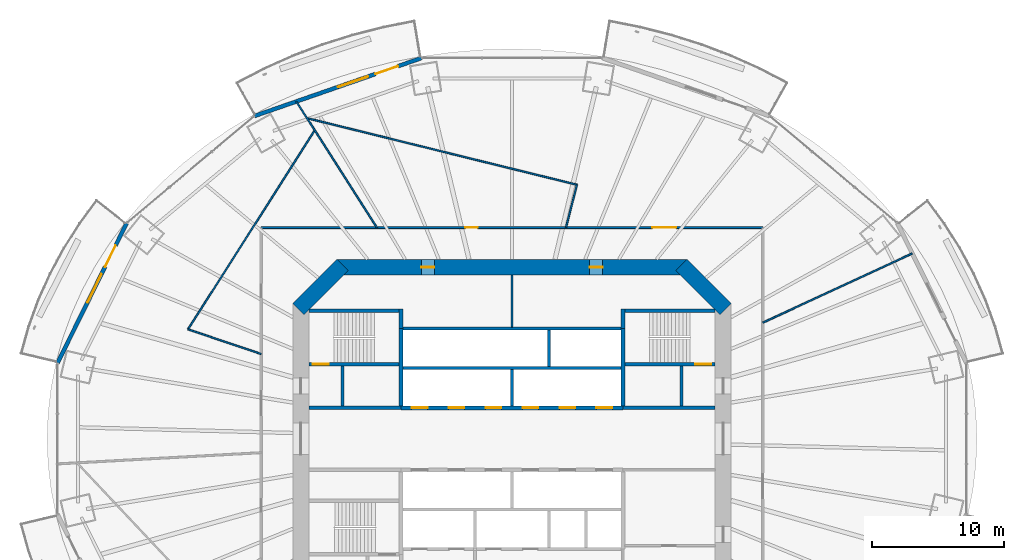
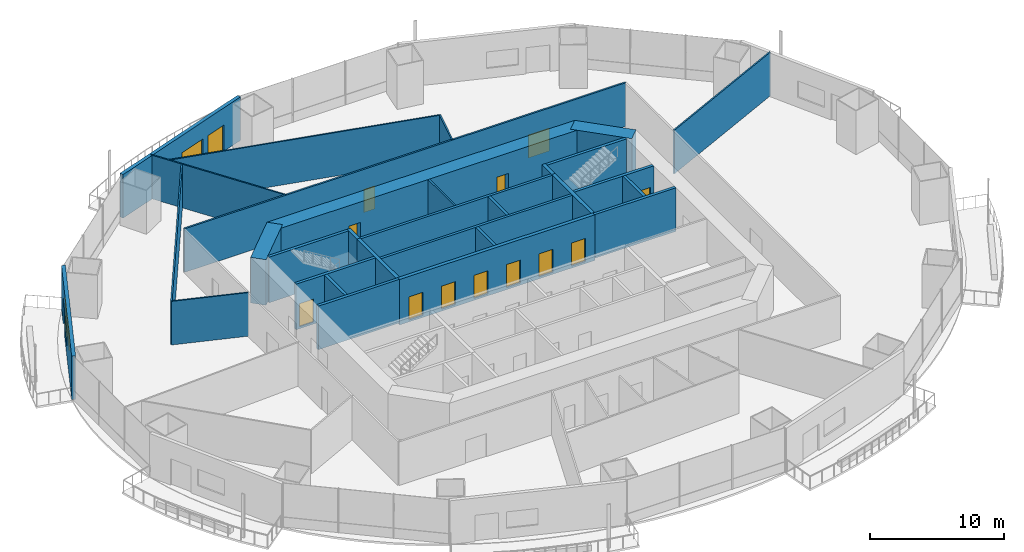
# One storey, part 15 of 22: 30 walls, 14 doors, 2 windows, 16 openings.
"""IFC4 building model written with IfcOpenShell, lengths in metres."""

from ifc_helpers import new_model, si_unit, direction, frame, frame_2d, origin, place, context, subcontext, project, spatial, rectangle, extrude, material, layer, layer_set, type_object, element, fill, save


model = new_model("IFC4")

# Units and contexts
model_context = context("Model", 3, precision=1e-05, world=origin(), true_north=direction((0.0, 1.0)))
body_context = subcontext(model_context, "Body", "Model", "MODEL_VIEW")
ifc_project = project(units=[si_unit("LENGTHUNIT", "METRE"), si_unit("AREAUNIT", "SQUARE_METRE"), si_unit("VOLUMEUNIT", "CUBIC_METRE"), si_unit("PLANEANGLEUNIT", "RADIAN"), si_unit("MASSUNIT", "GRAM", prefix="KILO")], contexts=[model_context])

# Site, building, storey
site_placement = place(None, origin())
site = spatial("IfcSite", under=ifc_project, at=site_placement, CompositionType="ELEMENT")
building_placement = place(site_placement, origin())
building = spatial("IfcBuilding", under=site, at=building_placement, Name="Marenthal Gate Tower", CompositionType="ELEMENT")
storey_placement = place(building_placement, frame((0.0, 0.0, 86.949951171875)))
storey = spatial("IfcBuildingStorey", under=building, at=storey_placement, Name="L17", CompositionType="ELEMENT", Elevation=86.949951171875)

# Wall
ifc_material_1 = material(Name="Concrete 60 MPa", Category="concrete")
ifc_layer_1 = layer(ifc_material_1, 1.199951171875)
ifc_layer_set_1 = layer_set([ifc_layer_1], Name="Core shear wall 1200")
wall_type_1 = type_object("IfcWallType", Name="Core shear wall 1200", PredefinedType="SHEAR", material=ifc_layer_set_1)
wall_1_placement = place(storey_placement, frame((16.17578125, 9.82421875, -0.179931640625), z_axis=(0.0, 0.0, 1.0), x_axis=(-0.707106781187, 0.707106781187, 0.0)))
element("IfcWall", 1, at=wall_1_placement, inside=storey, type_object=wall_type_1, Name="Core wall 03", PredefinedType="SHEAR", context=body_context, shape_type="SweptSolid", body=[
    extrude(rectangle(XDim=4.73974609375, YDim=1.199951171875, at=frame_2d((2.369873046875, 0.0))), origin(), (0.0, 0.0, 1.0), 4.14990234375),
])

# Wall, openings, doors
wall_2_placement = place(storey_placement, frame((13.24853515625, 13.0, -0.179931640625), z_axis=(0.0, 0.0, 1.0), x_axis=(-1.0, 0.0, 0.0)))
wall_2 = element("IfcWall", 2, at=wall_2_placement, inside=storey, type_object=wall_type_1, Name="Core wall 04", PredefinedType="SHEAR", context=body_context, shape_type="SweptSolid", body=[
    extrude(rectangle(XDim=26.4970703125, YDim=1.199951171875, at=frame_2d((13.24853515625, 0.0))), origin(), (0.0, 0.0, 1.0), 4.14990234375),
])
opening_1_placement = place(wall_2_placement, frame((19.12451171875, 0.0, 0.179931640625)))
opening_1 = element("IfcOpeningElement", 3, at=opening_1_placement, cuts=wall_2, Name="Opening D005.01", PredefinedType="OPENING", context=body_context, shape_type="SweptSolid", body=[
    extrude(rectangle(XDim=1.0, YDim=2.10009765625, at=frame_2d((0.5, 1.050048828125))), frame((0.0, 0.60986328125, 0.0), z_axis=(0.0, -1.0, 0.0), x_axis=(1.0, 0.0, 0.0)), (0.0, 0.0, 1.0), 1.219970703125),
])
opening_2_placement = place(wall_2_placement, frame((6.37255859375, 0.0, 0.179931640625)))
opening_2 = element("IfcOpeningElement", 4, at=opening_2_placement, cuts=wall_2, Name="Opening D005.02", PredefinedType="OPENING", context=body_context, shape_type="SweptSolid", body=[
    extrude(rectangle(XDim=1.0, YDim=2.10009765625, at=frame_2d((0.5, 1.050048828125))), frame((0.0, 0.60986328125, 0.0), z_axis=(0.0, -1.0, 0.0), x_axis=(1.0, 0.0, 0.0)), (0.0, 0.0, 1.0), 1.219970703125),
])
ifc_material_2 = material(Name="Steel fire door", Category="steel")
door_type_1 = type_object("IfcDoorType", Name="Fire door FD 45 1000 x 2100", OperationType="NOTDEFINED", PredefinedType="DOOR", material=ifc_material_2)
door_1_placement = place(opening_1_placement, origin())
door_1 = element("IfcDoor", 5, at=door_1_placement, inside=storey, type_object=door_type_1, Name="Door D005.01", OperationType="SINGLE_SWING_RIGHT", OverallHeight=2.10009765625, OverallWidth=1.0, PredefinedType="DOOR", context=body_context, shape_type="SweptSolid", body=[
    extrude(rectangle(XDim=1.0, YDim=2.10009765625, at=frame_2d((0.5, 1.050048828125))), frame((0.0, 0.02490234375, 0.0), z_axis=(0.0, -1.0, 0.0), x_axis=(1.0, 0.0, 0.0)), (0.0, 0.0, 1.0), 0.050048828125),
])
fill(opening_1, door_1)
door_2_placement = place(opening_2_placement, origin())
door_2 = element("IfcDoor", 6, at=door_2_placement, inside=storey, type_object=door_type_1, Name="Door D005.02", OperationType="SINGLE_SWING_RIGHT", OverallHeight=2.10009765625, OverallWidth=1.0, PredefinedType="DOOR", context=body_context, shape_type="SweptSolid", body=[
    extrude(rectangle(XDim=1.0, YDim=2.10009765625, at=frame_2d((0.5, 1.050048828125))), frame((0.0, 0.02490234375, 0.0), z_axis=(0.0, -1.0, 0.0), x_axis=(1.0, 0.0, 0.0)), (0.0, 0.0, 1.0), 0.050048828125),
])
fill(opening_2, door_2)

# Wall
wall_3_placement = place(storey_placement, frame((-12.82421875, 13.17578125, -0.179931640625), z_axis=(0.0, 0.0, 1.0), x_axis=(-0.707106781187, -0.707106781187, 0.0)))
element("IfcWall", 7, at=wall_3_placement, inside=storey, type_object=wall_type_1, Name="Core wall 05", PredefinedType="SHEAR", context=body_context, shape_type="SweptSolid", body=[
    extrude(rectangle(XDim=4.73974609375, YDim=1.199951171875, at=frame_2d((2.369873046875, 0.0))), origin(), (0.0, 0.0, 1.0), 4.14990234375),
])

# Wall, openings, doors
ifc_material_3 = material(Name="Concrete 50 MPa", Category="concrete")
ifc_layer_2 = layer(ifc_material_3, 0.300048828125)
ifc_layer_set_2 = layer_set([ifc_layer_2], Name="Hoistway shear wall 300")
wall_type_2 = type_object("IfcWallType", Name="Hoistway shear wall 300", PredefinedType="SHEAR", material=ifc_layer_set_2)
wall_4_placement = place(storey_placement, frame((-8.39990234375, 2.35009765625, -0.179931640625), z_axis=(0.0, 0.0, 1.0), x_axis=(1.0, 0.0, 0.0)))
wall_4 = element("IfcWall", 8, at=wall_4_placement, inside=storey, type_object=wall_type_2, Name="Hoistway wall 20", PredefinedType="SHEAR", context=body_context, shape_type="SweptSolid", body=[
    extrude(rectangle(XDim=16.7998046875, YDim=0.300048828125, at=frame_2d((8.39990234375, 0.0))), origin(), (0.0, 0.0, 1.0), 4.14990234375),
])
opening_3_placement = place(wall_4_placement, frame((0.800048828125, 0.0, 0.179931640625)))
opening_3 = element("IfcOpeningElement", 9, at=opening_3_placement, cuts=wall_4, Name="Opening LD-LP1", PredefinedType="OPENING", context=body_context, shape_type="SweptSolid", body=[
    extrude(rectangle(XDim=1.199951171875, YDim=2.10009765625, at=frame_2d((0.60009765625, 1.050048828125))), frame((0.0, 0.16015625, 0.0), z_axis=(0.0, -1.0, 0.0), x_axis=(1.0, 0.0, 0.0)), (0.0, 0.0, 1.0), 0.320068359375),
])
opening_4_placement = place(wall_4_placement, frame((3.60009765625, 0.0, 0.179931640625)))
opening_4 = element("IfcOpeningElement", 10, at=opening_4_placement, cuts=wall_4, Name="Opening LD-LP2", PredefinedType="OPENING", context=body_context, shape_type="SweptSolid", body=[
    extrude(rectangle(XDim=1.199951171875, YDim=2.10009765625, at=frame_2d((0.60009765625, 1.050048828125))), frame((0.0, 0.16015625, 0.0), z_axis=(0.0, -1.0, 0.0), x_axis=(1.0, 0.0, 0.0)), (0.0, 0.0, 1.0), 0.320068359375),
])
opening_5_placement = place(wall_4_placement, frame((6.39990234375, 0.0, 0.179931640625)))
opening_5 = element("IfcOpeningElement", 11, at=opening_5_placement, cuts=wall_4, Name="Opening LD-LP3", PredefinedType="OPENING", context=body_context, shape_type="SweptSolid", body=[
    extrude(rectangle(XDim=1.199951171875, YDim=2.10009765625, at=frame_2d((0.60009765625, 1.050048828125))), frame((0.0, 0.16015625, 0.0), z_axis=(0.0, -1.0, 0.0), x_axis=(1.0, 0.0, 0.0)), (0.0, 0.0, 1.0), 0.320068359375),
])
opening_6_placement = place(wall_4_placement, frame((9.199951171875, 0.0, 0.179931640625)))
opening_6 = element("IfcOpeningElement", 12, at=opening_6_placement, cuts=wall_4, Name="Opening LD-LP4", PredefinedType="OPENING", context=body_context, shape_type="SweptSolid", body=[
    extrude(rectangle(XDim=1.199951171875, YDim=2.10009765625, at=frame_2d((0.60009765625, 1.050048828125))), frame((0.0, 0.16015625, 0.0), z_axis=(0.0, -1.0, 0.0), x_axis=(1.0, 0.0, 0.0)), (0.0, 0.0, 1.0), 0.320068359375),
])
opening_7_placement = place(wall_4_placement, frame((12.0, 0.0, 0.179931640625)))
opening_7 = element("IfcOpeningElement", 13, at=opening_7_placement, cuts=wall_4, Name="Opening LD-LP5", PredefinedType="OPENING", context=body_context, shape_type="SweptSolid", body=[
    extrude(rectangle(XDim=1.199951171875, YDim=2.10009765625, at=frame_2d((0.60009765625, 1.050048828125))), frame((0.0, 0.16015625, 0.0), z_axis=(0.0, -1.0, 0.0), x_axis=(1.0, 0.0, 0.0)), (0.0, 0.0, 1.0), 0.320068359375),
])
opening_8_placement = place(wall_4_placement, frame((14.800048828125, 0.0, 0.179931640625)))
opening_8 = element("IfcOpeningElement", 14, at=opening_8_placement, cuts=wall_4, Name="Opening LD-LP6", PredefinedType="OPENING", context=body_context, shape_type="SweptSolid", body=[
    extrude(rectangle(XDim=1.199951171875, YDim=2.10009765625, at=frame_2d((0.60009765625, 1.050048828125))), frame((0.0, 0.16015625, 0.0), z_axis=(0.0, -1.0, 0.0), x_axis=(1.0, 0.0, 0.0)), (0.0, 0.0, 1.0), 0.320068359375),
])
ifc_material_4 = material(Name="Stainless steel sliding door", Category="steel")
door_type_2 = type_object("IfcDoorType", Name="Lift landing door FD 90 1200 x 2100", OperationType="DOUBLE_DOOR_SLIDING", PredefinedType="DOOR", material=ifc_material_4)
door_3_placement = place(opening_3_placement, origin())
door_3 = element("IfcDoor", 15, at=door_3_placement, inside=storey, type_object=door_type_2, Name="Lift landing door LP1", OperationType="DOUBLE_DOOR_SLIDING", OverallHeight=2.10009765625, OverallWidth=1.199951171875, PredefinedType="DOOR", context=body_context, shape_type="SweptSolid", body=[
    extrude(rectangle(XDim=1.199951171875, YDim=2.10009765625, at=frame_2d((0.60009765625, 1.050048828125))), frame((0.0, 0.02490234375, 0.0), z_axis=(0.0, -1.0, 0.0), x_axis=(1.0, 0.0, 0.0)), (0.0, 0.0, 1.0), 0.050048828125),
])
fill(opening_3, door_3)
door_4_placement = place(opening_4_placement, origin())
door_4 = element("IfcDoor", 16, at=door_4_placement, inside=storey, type_object=door_type_2, Name="Lift landing door LP2", OperationType="DOUBLE_DOOR_SLIDING", OverallHeight=2.10009765625, OverallWidth=1.199951171875, PredefinedType="DOOR", context=body_context, shape_type="SweptSolid", body=[
    extrude(rectangle(XDim=1.199951171875, YDim=2.10009765625, at=frame_2d((0.60009765625, 1.050048828125))), frame((0.0, 0.02490234375, 0.0), z_axis=(0.0, -1.0, 0.0), x_axis=(1.0, 0.0, 0.0)), (0.0, 0.0, 1.0), 0.050048828125),
])
fill(opening_4, door_4)
door_5_placement = place(opening_5_placement, origin())
door_5 = element("IfcDoor", 17, at=door_5_placement, inside=storey, type_object=door_type_2, Name="Lift landing door LP3", OperationType="DOUBLE_DOOR_SLIDING", OverallHeight=2.10009765625, OverallWidth=1.199951171875, PredefinedType="DOOR", context=body_context, shape_type="SweptSolid", body=[
    extrude(rectangle(XDim=1.199951171875, YDim=2.10009765625, at=frame_2d((0.60009765625, 1.050048828125))), frame((0.0, 0.02490234375, 0.0), z_axis=(0.0, -1.0, 0.0), x_axis=(1.0, 0.0, 0.0)), (0.0, 0.0, 1.0), 0.050048828125),
])
fill(opening_5, door_5)
door_6_placement = place(opening_6_placement, origin())
door_6 = element("IfcDoor", 18, at=door_6_placement, inside=storey, type_object=door_type_2, Name="Lift landing door LP4", OperationType="DOUBLE_DOOR_SLIDING", OverallHeight=2.10009765625, OverallWidth=1.199951171875, PredefinedType="DOOR", context=body_context, shape_type="SweptSolid", body=[
    extrude(rectangle(XDim=1.199951171875, YDim=2.10009765625, at=frame_2d((0.60009765625, 1.050048828125))), frame((0.0, 0.02490234375, 0.0), z_axis=(0.0, -1.0, 0.0), x_axis=(1.0, 0.0, 0.0)), (0.0, 0.0, 1.0), 0.050048828125),
])
fill(opening_6, door_6)
door_7_placement = place(opening_7_placement, origin())
door_7 = element("IfcDoor", 19, at=door_7_placement, inside=storey, type_object=door_type_2, Name="Lift landing door LP5", OperationType="DOUBLE_DOOR_SLIDING", OverallHeight=2.10009765625, OverallWidth=1.199951171875, PredefinedType="DOOR", context=body_context, shape_type="SweptSolid", body=[
    extrude(rectangle(XDim=1.199951171875, YDim=2.10009765625, at=frame_2d((0.60009765625, 1.050048828125))), frame((0.0, 0.02490234375, 0.0), z_axis=(0.0, -1.0, 0.0), x_axis=(1.0, 0.0, 0.0)), (0.0, 0.0, 1.0), 0.050048828125),
])
fill(opening_7, door_7)
door_8_placement = place(opening_8_placement, origin())
door_8 = element("IfcDoor", 20, at=door_8_placement, inside=storey, type_object=door_type_2, Name="Lift landing door LP6", OperationType="DOUBLE_DOOR_SLIDING", OverallHeight=2.10009765625, OverallWidth=1.199951171875, PredefinedType="DOOR", context=body_context, shape_type="SweptSolid", body=[
    extrude(rectangle(XDim=1.199951171875, YDim=2.10009765625, at=frame_2d((0.60009765625, 1.050048828125))), frame((0.0, 0.02490234375, 0.0), z_axis=(0.0, -1.0, 0.0), x_axis=(1.0, 0.0, 0.0)), (0.0, 0.0, 1.0), 0.050048828125),
])
fill(opening_8, door_8)

# Walls
for number, where, z_axis, x_axis, name in (
    (21, (-8.39990234375, 2.5, -0.179931640625), (0.0, 0.0, 1.0), (0.0, 1.0, 0.0), "Hoistway wall 32"),
    (22, (8.39990234375, 2.5, -0.179931640625), (0.0, 0.0, 1.0), (0.0, 1.0, 0.0), "Hoistway wall 44"),
):
    element("IfcWall", number, at=place(storey_placement, frame(where, z_axis=z_axis, x_axis=x_axis)), inside=storey, type_object=wall_type_2, Name=name, PredefinedType="SHEAR", context=body_context, shape_type="SweptSolid", body=[
        extrude(rectangle(XDim=5.85009765625, YDim=0.300048828125, at=frame_2d((2.925048828125, 0.0))), origin(), (0.0, 0.0, 1.0), 4.14990234375),
    ])
ifc_material_5 = material(Name="Concrete 40 MPa", Category="concrete")
ifc_layer_3 = layer(ifc_material_5, 0.219970703125)
ifc_layer_set_3 = layer_set([ifc_layer_3], Name="Hoistway wall 220")
wall_type_3 = type_object("IfcWallType", Name="Hoistway wall 220", PredefinedType="STANDARD", material=ifc_layer_set_3)
for number, where, z_axis, x_axis, name in (
    (23, (-8.25, 5.35009765625, 0.0), (0.0, 0.0, 1.0), (1.0, 0.0, 0.0), "Hoistway wall 22"),
    (24, (-8.25, 8.35009765625, 0.0), (0.0, 0.0, 1.0), (1.0, 0.0, 0.0), "Hoistway wall 25"),
):
    element("IfcWall", number, at=place(storey_placement, frame(where, z_axis=z_axis, x_axis=x_axis)), inside=storey, type_object=wall_type_3, Name=name, PredefinedType="STANDARD", context=body_context, shape_type="SweptSolid", body=[
        extrude(rectangle(XDim=16.5, YDim=0.219970703125, at=frame_2d((8.25, 0.0))), origin(), (0.0, 0.0, 1.0), 3.969970703125),
    ])
wall_5_placement = place(storey_placement, frame((0.0, 2.5, 0.0), z_axis=(0.0, 0.0, 1.0), x_axis=(0.0, 1.0, 0.0)))
element("IfcWall", 25, at=wall_5_placement, inside=storey, type_object=wall_type_3, Name="Hoistway wall 37", PredefinedType="STANDARD", context=body_context, shape_type="SweptSolid", body=[
    extrude(rectangle(XDim=2.739990234375, YDim=0.219970703125, at=frame_2d((1.3701171875, 0.0))), origin(), (0.0, 0.0, 1.0), 3.969970703125),
])
wall_6_placement = place(storey_placement, frame((2.800048828125, 5.4599609375, 0.0), z_axis=(0.0, 0.0, 1.0), x_axis=(0.0, 1.0, 0.0)))
element("IfcWall", 26, at=wall_6_placement, inside=storey, type_object=wall_type_3, Name="Hoistway wall 40", PredefinedType="STANDARD", context=body_context, shape_type="SweptSolid", body=[
    extrude(rectangle(XDim=2.780029296875, YDim=0.219970703125, at=frame_2d((1.39013671875, 0.0))), origin(), (0.0, 0.0, 1.0), 3.969970703125),
])
ifc_material_6 = material(Name="Gypsum board on steel studs", Category="steel")
ifc_layer_4 = layer(ifc_material_6, 0.1201171875)
ifc_layer_set_4 = layer_set([ifc_layer_4], Name="Partition 120")
wall_type_4 = type_object("IfcWallType", Name="Partition 120", PredefinedType="PARTITIONING", material=ifc_layer_set_4)
wall_7_placement = place(storey_placement, frame((-24.547607421875, 8.293701171875, 0.0), z_axis=(0.0, 0.0, 1.0), x_axis=(0.947391329826, -0.320077597108, 0.0)))
element("IfcWall", 27, at=wall_7_placement, inside=storey, type_object=wall_type_4, Name="Partition wall 48", PredefinedType="PARTITIONING", context=body_context, shape_type="SweptSolid", body=[
    extrude(rectangle(XDim=5.855712890625, YDim=0.1201171875, at=frame_2d((2.927734375, 0.0))), origin(), (0.0, 0.0, 1.0), 3.969970703125),
])
wall_8_placement = place(storey_placement, frame((-14.9482421875, 23.376708984375, 0.0), z_axis=(0.0, 0.0, 1.0), x_axis=(-0.536918787307, -0.843633934735, 0.0)))
element("IfcWall", 28, at=wall_8_placement, inside=storey, type_object=wall_type_4, Name="Partition wall 53", PredefinedType="PARTITIONING", context=body_context, shape_type="SweptSolid", body=[
    extrude(rectangle(XDim=17.878662109375, YDim=0.1201171875, at=frame_2d((8.939453125, 0.0))), origin(), (0.0, 0.0, 1.0), 3.969970703125),
])
wall_9_placement = place(storey_placement, frame((-10.231201171875, 16.0, 0.0), z_axis=(0.0, 0.0, 1.0), x_axis=(-0.538717793893, 0.84248628389, 0.0)))
element("IfcWall", 29, at=wall_9_placement, inside=storey, type_object=wall_type_4, Name="Partition wall 54", PredefinedType="PARTITIONING", context=body_context, shape_type="SweptSolid", body=[
    extrude(rectangle(XDim=11.34521484375, YDim=0.1201171875, at=frame_2d((5.672607421875, 0.0))), origin(), (0.0, 0.0, 1.0), 3.969970703125),
])
wall_10_placement = place(storey_placement, frame((4.920166015625, 19.24853515625, 0.0), z_axis=(0.0, 0.0, 1.0), x_axis=(-0.970900483389, 0.239483300786, 0.0)))
element("IfcWall", 30, at=wall_10_placement, inside=storey, type_object=wall_type_4, Name="Partition wall 60", PredefinedType="PARTITIONING", context=body_context, shape_type="SweptSolid", body=[
    extrude(rectangle(XDim=21.06787109375, YDim=0.1201171875, at=frame_2d((10.533935546875, 0.0))), origin(), (0.0, 0.0, 1.0), 3.969970703125),
])
wall_11_placement = place(storey_placement, frame((4.920166015625, 19.24853515625, 0.0), z_axis=(0.0, 0.0, 1.0), x_axis=(-0.247706104216, -0.96883522125, 0.0)))
element("IfcWall", 31, at=wall_11_placement, inside=storey, type_object=wall_type_4, Name="Partition wall 61", PredefinedType="PARTITIONING", context=body_context, shape_type="SweptSolid", body=[
    extrude(rectangle(XDim=3.35302734375, YDim=0.1201171875, at=frame_2d((1.676513671875, 0.0))), origin(), (0.0, 0.0, 1.0), 3.969970703125),
])
wall_12_placement = place(storey_placement, frame((19.0, 8.798095703125, 0.0), z_axis=(0.0, 0.0, 1.0), x_axis=(0.907434463357, 0.420193639543, 0.0)))
element("IfcWall", 32, at=wall_12_placement, inside=storey, type_object=wall_type_4, Name="Partition wall 65", PredefinedType="PARTITIONING", context=body_context, shape_type="SweptSolid", body=[
    extrude(rectangle(XDim=12.486083984375, YDim=0.1201171875, at=frame_2d((6.2431640625, 0.0))), origin(), (0.0, 0.0, 1.0), 3.969970703125),
])
ifc_material_7 = material(Name="Gypsum board on steel studs", Category="steel")
ifc_layer_5 = layer(ifc_material_7, 0.14990234375)
ifc_layer_set_5 = layer_set([ifc_layer_5], Name="Partition 150")
wall_type_5 = type_object("IfcWallType", Name="Partition 150", PredefinedType="PARTITIONING", material=ifc_layer_set_5)
wall_13_placement = place(storey_placement, frame((0.0, 8.4599609375, 0.0), z_axis=(0.0, 0.0, 1.0), x_axis=(0.0, 1.0, 0.0)))
element("IfcWall", 33, at=wall_13_placement, inside=storey, type_object=wall_type_5, Name="Partition wall 38", PredefinedType="PARTITIONING", context=body_context, shape_type="SweptSolid", body=[
    extrude(rectangle(XDim=3.93994140625, YDim=0.14990234375, at=frame_2d((1.969970703125, 0.0))), origin(), (0.0, 0.0, 1.0), 3.969970703125),
])

# Wall, openings, doors
wall_14_placement = place(storey_placement, frame((-19.0, 16.0, 0.0), z_axis=(0.0, 0.0, 1.0), x_axis=(1.0, 0.0, 0.0)))
wall_14 = element("IfcWall", 34, at=wall_14_placement, inside=storey, type_object=wall_type_5, Name="Partition wall 52", PredefinedType="PARTITIONING", context=body_context, shape_type="SweptSolid", body=[
    extrude(rectangle(XDim=38.0, YDim=0.14990234375, at=frame_2d((19.0, 0.0))), origin(), (0.0, 0.0, 1.0), 3.969970703125),
])
opening_9_placement = place(wall_14_placement, frame((15.455078125, 0.0, 0.0)))
opening_9 = element("IfcOpeningElement", 35, at=opening_9_placement, cuts=wall_14, Name="Opening D016.01", PredefinedType="OPENING", context=body_context, shape_type="SweptSolid", body=[
    extrude(rectangle(XDim=0.949951171875, YDim=2.10009765625, at=frame_2d((0.47509765625, 1.050048828125))), frame((0.0, 0.0849609375, 0.0), z_axis=(0.0, -1.0, 0.0), x_axis=(1.0, 0.0, 0.0)), (0.0, 0.0, 1.0), 0.169921875),
])
opening_10_placement = place(wall_14_placement, frame((29.64501953125, 0.0, 0.0)))
opening_10 = element("IfcOpeningElement", 36, at=opening_10_placement, cuts=wall_14, Name="Opening D014.01", PredefinedType="OPENING", context=body_context, shape_type="SweptSolid", body=[
    extrude(rectangle(XDim=1.800048828125, YDim=2.10009765625, at=frame_2d((0.89990234375, 1.050048828125))), frame((0.0, 0.0849609375, 0.0), z_axis=(0.0, -1.0, 0.0), x_axis=(1.0, 0.0, 0.0)), (0.0, 0.0, 1.0), 0.169921875),
])
ifc_material_8 = material(Name="Timber door", Category="wood")
door_type_3 = type_object("IfcDoorType", Name="Door 950 x 2100", OperationType="NOTDEFINED", PredefinedType="DOOR", material=ifc_material_8)
door_9_placement = place(opening_9_placement, origin())
door_9 = element("IfcDoor", 37, at=door_9_placement, inside=storey, type_object=door_type_3, Name="Door D016.01", OperationType="SINGLE_SWING_RIGHT", OverallHeight=2.10009765625, OverallWidth=0.949951171875, PredefinedType="DOOR", context=body_context, shape_type="SweptSolid", body=[
    extrude(rectangle(XDim=0.949951171875, YDim=2.10009765625, at=frame_2d((0.47509765625, 1.050048828125))), frame((0.0, 0.02490234375, 0.0), z_axis=(0.0, -1.0, 0.0), x_axis=(1.0, 0.0, 0.0)), (0.0, 0.0, 1.0), 0.050048828125),
])
fill(opening_9, door_9)
ifc_material_9 = material(Name="Timber door", Category="wood")
door_type_4 = type_object("IfcDoorType", Name="Double door 1800 x 2100", OperationType="DOUBLE_DOOR_SINGLE_SWING", PredefinedType="DOOR", material=ifc_material_9)
door_10_placement = place(opening_10_placement, origin())
door_10 = element("IfcDoor", 38, at=door_10_placement, inside=storey, type_object=door_type_4, Name="Door D014.01", OperationType="DOUBLE_DOOR_SINGLE_SWING", OverallHeight=2.10009765625, OverallWidth=1.800048828125, PredefinedType="DOOR", context=body_context, shape_type="SweptSolid", body=[
    extrude(rectangle(XDim=1.800048828125, YDim=2.10009765625, at=frame_2d((0.89990234375, 1.050048828125))), frame((0.0, 0.02490234375, 0.0), z_axis=(0.0, -1.0, 0.0), x_axis=(1.0, 0.0, 0.0)), (0.0, 0.0, 1.0), 0.050048828125),
])
fill(opening_10, door_10)

# Walls
ifc_material_10 = material(Name="Concrete 40 MPa", Category="concrete")
ifc_layer_6 = layer(ifc_material_10, 0.25)
ifc_layer_set_6 = layer_set([ifc_layer_6], Name="Stair enclosure wall 250")
wall_type_6 = type_object("IfcWallType", Name="Stair enclosure wall 250", PredefinedType="STANDARD", material=ifc_layer_set_6)
for number, where, z_axis, x_axis, name in (
    (39, (-15.39990234375, 2.35009765625, 0.0), (0.0, 0.0, 1.0), (1.0, 0.0, 0.0), "Stair wall 19"),
    (40, (8.39990234375, 2.35009765625, 0.0), (0.0, 0.0, 1.0), (1.0, 0.0, 0.0), "Stair wall 21"),
):
    element("IfcWall", number, at=place(storey_placement, frame(where, z_axis=z_axis, x_axis=x_axis)), inside=storey, type_object=wall_type_6, Name=name, PredefinedType="STANDARD", context=body_context, shape_type="SweptSolid", body=[
        extrude(rectangle(XDim=7.0, YDim=0.25, at=frame_2d((3.5, 0.0))), origin(), (0.0, 0.0, 1.0), 3.969970703125),
    ])
for number, where, z_axis, x_axis, name in (
    (41, (-12.85009765625, 2.47509765625, 0.0), (0.0, 0.0, 1.0), (0.0, 1.0, 0.0), "Stair wall 28"),
    (42, (12.85009765625, 2.47509765625, 0.0), (0.0, 0.0, 1.0), (0.0, 1.0, 0.0), "Stair wall 46"),
):
    element("IfcWall", number, at=place(storey_placement, frame(where, z_axis=z_axis, x_axis=x_axis)), inside=storey, type_object=wall_type_6, Name=name, PredefinedType="STANDARD", context=body_context, shape_type="SweptSolid", body=[
        extrude(rectangle(XDim=3.0498046875, YDim=0.25, at=frame_2d((1.52490234375, 0.0))), origin(), (0.0, 0.0, 1.0), 3.969970703125),
    ])

# Wall, opening, door
ifc_material_11 = material(Name="Concrete 50 MPa", Category="concrete")
ifc_layer_7 = layer(ifc_material_11, 0.25)
ifc_layer_set_7 = layer_set([ifc_layer_7], Name="Stair shear wall 250")
wall_type_7 = type_object("IfcWallType", Name="Stair shear wall 250", PredefinedType="SHEAR", material=ifc_layer_set_7)
wall_15_placement = place(storey_placement, frame((-15.39990234375, 5.64990234375, -0.179931640625), z_axis=(0.0, 0.0, 1.0), x_axis=(1.0, 0.0, 0.0)))
wall_15 = element("IfcWall", 43, at=wall_15_placement, inside=storey, type_object=wall_type_7, Name="Stair wall 23", PredefinedType="SHEAR", context=body_context, shape_type="SweptSolid", body=[
    extrude(rectangle(XDim=6.849853515625, YDim=0.25, at=frame_2d((3.4248046875, 0.0))), origin(), (0.0, 0.0, 1.0), 4.14990234375),
])
opening_11_placement = place(wall_15_placement, frame((0.300048828125, 0.0, 0.179931640625)))
opening_11 = element("IfcOpeningElement", 44, at=opening_11_placement, cuts=wall_15, Name="Opening D001.01", PredefinedType="OPENING", context=body_context, shape_type="SweptSolid", body=[
    extrude(rectangle(XDim=1.199951171875, YDim=2.10009765625, at=frame_2d((0.60009765625, 1.050048828125))), frame((0.0, 0.135009765625, 0.0), z_axis=(0.0, -1.0, 0.0), x_axis=(1.0, 0.0, 0.0)), (0.0, 0.0, 1.0), 0.27001953125),
])
ifc_material_12 = material(Name="Steel fire door", Category="steel")
door_type_5 = type_object("IfcDoorType", Name="Fire door FD 90 1200 x 2100", OperationType="NOTDEFINED", PredefinedType="DOOR", material=ifc_material_12)
door_11_placement = place(opening_11_placement, origin())
door_11 = element("IfcDoor", 45, at=door_11_placement, inside=storey, type_object=door_type_5, Name="Door D001.01", OperationType="SINGLE_SWING_RIGHT", OverallHeight=2.10009765625, OverallWidth=1.199951171875, PredefinedType="DOOR", context=body_context, shape_type="SweptSolid", body=[
    extrude(rectangle(XDim=1.199951171875, YDim=2.10009765625, at=frame_2d((0.60009765625, 1.050048828125))), frame((0.0, 0.02490234375, 0.0), z_axis=(0.0, -1.0, 0.0), x_axis=(1.0, 0.0, 0.0)), (0.0, 0.0, 1.0), 0.050048828125),
])
fill(opening_11, door_11)

wall_16_placement = place(storey_placement, frame((8.550048828125, 5.64990234375, -0.179931640625), z_axis=(0.0, 0.0, 1.0), x_axis=(1.0, 0.0, 0.0)))
wall_16 = element("IfcWall", 46, at=wall_16_placement, inside=storey, type_object=wall_type_7, Name="Stair wall 24", PredefinedType="SHEAR", context=body_context, shape_type="SweptSolid", body=[
    extrude(rectangle(XDim=6.849853515625, YDim=0.25, at=frame_2d((3.4248046875, 0.0))), origin(), (0.0, 0.0, 1.0), 4.14990234375),
])
opening_12_placement = place(wall_16_placement, frame((5.35009765625, 0.0, 0.179931640625)))
opening_12 = element("IfcOpeningElement", 47, at=opening_12_placement, cuts=wall_16, Name="Opening D001.02", PredefinedType="OPENING", context=body_context, shape_type="SweptSolid", body=[
    extrude(rectangle(XDim=1.199951171875, YDim=2.10009765625, at=frame_2d((0.60009765625, 1.050048828125))), frame((0.0, 0.135009765625, 0.0), z_axis=(0.0, -1.0, 0.0), x_axis=(1.0, 0.0, 0.0)), (0.0, 0.0, 1.0), 0.27001953125),
])
door_12_placement = place(opening_12_placement, origin())
door_12 = element("IfcDoor", 48, at=door_12_placement, inside=storey, type_object=door_type_5, Name="Door D001.02", OperationType="SINGLE_SWING_RIGHT", OverallHeight=2.10009765625, OverallWidth=1.199951171875, PredefinedType="DOOR", context=body_context, shape_type="SweptSolid", body=[
    extrude(rectangle(XDim=1.199951171875, YDim=2.10009765625, at=frame_2d((0.60009765625, 1.050048828125))), frame((0.0, 0.02490234375, 0.0), z_axis=(0.0, -1.0, 0.0), x_axis=(1.0, 0.0, 0.0)), (0.0, 0.0, 1.0), 0.050048828125),
])
fill(opening_12, door_12)

# Walls
for number, where, z_axis, x_axis, name in (
    (49, (-15.39990234375, 9.699951171875, -0.179931640625), (0.0, 0.0, 1.0), (1.0, 0.0, 0.0), "Stair wall 26"),
    (50, (8.550048828125, 9.699951171875, -0.179931640625), (0.0, 0.0, 1.0), (1.0, 0.0, 0.0), "Stair wall 27"),
):
    element("IfcWall", number, at=place(storey_placement, frame(where, z_axis=z_axis, x_axis=x_axis)), inside=storey, type_object=wall_type_7, Name=name, PredefinedType="SHEAR", context=body_context, shape_type="SweptSolid", body=[
        extrude(rectangle(XDim=6.849853515625, YDim=0.25, at=frame_2d((3.4248046875, 0.0))), origin(), (0.0, 0.0, 1.0), 4.14990234375),
    ])
ifc_material_13 = material(Name="Concrete 50 MPa", Category="concrete")
ifc_layer_8 = layer(ifc_material_13, 0.300048828125)
ifc_layer_set_8 = layer_set([ifc_layer_8], Name="Stair shear wall 300")
wall_type_8 = type_object("IfcWallType", Name="Stair shear wall 300", PredefinedType="SHEAR", material=ifc_layer_set_8)
for number, where, z_axis, x_axis, name in (
    (51, (-8.39990234375, 8.35009765625, -0.179931640625), (0.0, 0.0, 1.0), (0.0, 1.0, 0.0), "Stair wall 33"),
    (52, (8.39990234375, 8.35009765625, -0.179931640625), (0.0, 0.0, 1.0), (0.0, 1.0, 0.0), "Stair wall 45"),
):
    element("IfcWall", number, at=place(storey_placement, frame(where, z_axis=z_axis, x_axis=x_axis)), inside=storey, type_object=wall_type_8, Name=name, PredefinedType="SHEAR", context=body_context, shape_type="SweptSolid", body=[
        extrude(rectangle(XDim=1.474853515625, YDim=0.300048828125, at=frame_2d((0.7373046875, 0.0))), origin(), (0.0, 0.0, 1.0), 4.14990234375),
    ])

# Wall, openings, door, window
ifc_material_14 = material(Name="Terracotta cladding on insulated concrete-block backing", Category="masonry")
ifc_layer_9 = layer(ifc_material_14, 0.300048828125)
ifc_layer_set_9 = layer_set([ifc_layer_9], Name="Terracotta facade wall 300")
wall_type_9 = type_object("IfcWallType", Name="Terracotta facade wall 300", PredefinedType="SOLIDWALL", material=ifc_layer_set_9)
wall_17_placement = place(storey_placement, frame((-6.849853515625, 28.852783203125, 0.0), z_axis=(0.0, 0.0, 1.0), x_axis=(-0.944722748464, -0.327870292241, 0.0)))
wall_17 = element("IfcWall", 53, at=wall_17_placement, inside=storey, type_object=wall_type_9, Name="Terracotta facade wall L17 bay 5", PredefinedType="SOLIDWALL", context=body_context, shape_type="SweptSolid", body=[
    extrude(rectangle(XDim=13.397216796875, YDim=0.300048828125, at=frame_2d((6.69873046875, 0.0))), origin(), (0.0, 0.0, 1.0), 3.969970703125),
])
opening_13_placement = place(wall_17_placement, frame((1.89990234375, 0.0, 0.0)))
opening_13 = element("IfcOpeningElement", 54, at=opening_13_placement, cuts=wall_17, Name="Opening BD-L17-05", PredefinedType="OPENING", context=body_context, shape_type="SweptSolid", body=[
    extrude(rectangle(XDim=1.800048828125, YDim=2.39990234375, at=frame_2d((0.89990234375, 1.199951171875))), frame((0.0, 0.16015625, 0.0), z_axis=(0.0, -1.0, 0.0), x_axis=(1.0, 0.0, 0.0)), (0.0, 0.0, 1.0), 0.320068359375),
])
opening_14_placement = place(wall_17_placement, frame((4.300048828125, 0.0, 0.89990234375)))
opening_14 = element("IfcOpeningElement", 55, at=opening_14_placement, cuts=wall_17, Name="Opening WN1-L17-05", PredefinedType="OPENING", context=body_context, shape_type="SweptSolid", body=[
    extrude(rectangle(XDim=2.39990234375, YDim=1.5, at=frame_2d((1.199951171875, 0.75))), frame((0.0, 0.16015625, 0.0), z_axis=(0.0, -1.0, 0.0), x_axis=(1.0, 0.0, 0.0)), (0.0, 0.0, 1.0), 0.320068359375),
])
ifc_material_15 = material(Name="Aluminium and glass", Category="aluminium")
door_type_6 = type_object("IfcDoorType", Name="Balcony door 1800x2400", OperationType="DOUBLE_DOOR_SINGLE_SWING", PredefinedType="DOOR", material=ifc_material_15)
door_13_placement = place(opening_13_placement, origin())
door_13 = element("IfcDoor", 56, at=door_13_placement, inside=storey, type_object=door_type_6, Name="Balcony door L17 bay 5", OperationType="SINGLE_SWING_LEFT", OverallHeight=2.39990234375, OverallWidth=1.800048828125, PredefinedType="DOOR", context=body_context, shape_type="SweptSolid", body=[
    extrude(rectangle(XDim=1.800048828125, YDim=2.39990234375, at=frame_2d((0.89990234375, 1.199951171875))), frame((0.0, 0.02490234375, 0.0), z_axis=(0.0, -1.0, 0.0), x_axis=(1.0, 0.0, 0.0)), (0.0, 0.0, 1.0), 0.050048828125),
])
fill(opening_13, door_13)
ifc_material_16 = material(Name="Aluminium and glass", Category="aluminium")
window_type = type_object("IfcWindowType", Name="Window 2400x1500", PartitioningType="TRIPLE_PANEL_VERTICAL", PredefinedType="WINDOW", material=ifc_material_16)
window_1_placement = place(opening_14_placement, origin())
window_1 = element("IfcWindow", 57, at=window_1_placement, inside=storey, type_object=window_type, Name="Window L17 bay 5", OverallHeight=1.5, OverallWidth=2.39990234375, PartitioningType="SINGLE_PANEL", PredefinedType="WINDOW", context=body_context, shape_type="SweptSolid", body=[
    extrude(rectangle(XDim=2.39990234375, YDim=1.5, at=frame_2d((1.199951171875, 0.75))), frame((0.0, 0.030029296875, 0.0), z_axis=(0.0, -1.0, 0.0), x_axis=(1.0, 0.0, 0.0)), (0.0, 0.0, 1.0), 0.06005859375),
])
fill(opening_14, window_1)

wall_18_placement = place(storey_placement, frame((-29.193603515625, 16.34375, 0.0), z_axis=(0.0, 0.0, 1.0), x_axis=(-0.443197104999, -0.896424188719, 0.0)))
wall_18 = element("IfcWall", 58, at=wall_18_placement, inside=storey, type_object=wall_type_9, Name="Terracotta facade wall L17 bay 7", PredefinedType="SOLIDWALL", context=body_context, shape_type="SweptSolid", body=[
    extrude(rectangle(XDim=11.829833984375, YDim=0.300048828125, at=frame_2d((5.9150390625, 0.0))), origin(), (0.0, 0.0, 1.0), 3.969970703125),
])
opening_15_placement = place(wall_18_placement, frame((1.89990234375, 0.0, 0.0)))
opening_15 = element("IfcOpeningElement", 59, at=opening_15_placement, cuts=wall_18, Name="Opening BD-L17-07", PredefinedType="OPENING", context=body_context, shape_type="SweptSolid", body=[
    extrude(rectangle(XDim=1.800048828125, YDim=2.39990234375, at=frame_2d((0.89990234375, 1.199951171875))), frame((0.0, 0.16015625, 0.0), z_axis=(0.0, -1.0, 0.0), x_axis=(1.0, 0.0, 0.0)), (0.0, 0.0, 1.0), 0.320068359375),
])
opening_16_placement = place(wall_18_placement, frame((4.300048828125, 0.0, 0.89990234375)))
opening_16 = element("IfcOpeningElement", 60, at=opening_16_placement, cuts=wall_18, Name="Opening WN1-L17-07", PredefinedType="OPENING", context=body_context, shape_type="SweptSolid", body=[
    extrude(rectangle(XDim=2.39990234375, YDim=1.5, at=frame_2d((1.199951171875, 0.75))), frame((0.0, 0.16015625, 0.0), z_axis=(0.0, -1.0, 0.0), x_axis=(1.0, 0.0, 0.0)), (0.0, 0.0, 1.0), 0.320068359375),
])
door_14_placement = place(opening_15_placement, origin())
door_14 = element("IfcDoor", 61, at=door_14_placement, inside=storey, type_object=door_type_6, Name="Balcony door L17 bay 7", OperationType="SINGLE_SWING_LEFT", OverallHeight=2.39990234375, OverallWidth=1.800048828125, PredefinedType="DOOR", context=body_context, shape_type="SweptSolid", body=[
    extrude(rectangle(XDim=1.800048828125, YDim=2.39990234375, at=frame_2d((0.89990234375, 1.199951171875))), frame((0.0, 0.02490234375, 0.0), z_axis=(0.0, -1.0, 0.0), x_axis=(1.0, 0.0, 0.0)), (0.0, 0.0, 1.0), 0.050048828125),
])
fill(opening_15, door_14)
window_2_placement = place(opening_16_placement, origin())
window_2 = element("IfcWindow", 62, at=window_2_placement, inside=storey, type_object=window_type, Name="Window L17 bay 7", OverallHeight=1.5, OverallWidth=2.39990234375, PartitioningType="SINGLE_PANEL", PredefinedType="WINDOW", context=body_context, shape_type="SweptSolid", body=[
    extrude(rectangle(XDim=2.39990234375, YDim=1.5, at=frame_2d((1.199951171875, 0.75))), frame((0.0, 0.030029296875, 0.0), z_axis=(0.0, -1.0, 0.0), x_axis=(1.0, 0.0, 0.0)), (0.0, 0.0, 1.0), 0.06005859375),
])
fill(opening_16, window_2)

save(model, "model.ifc")
